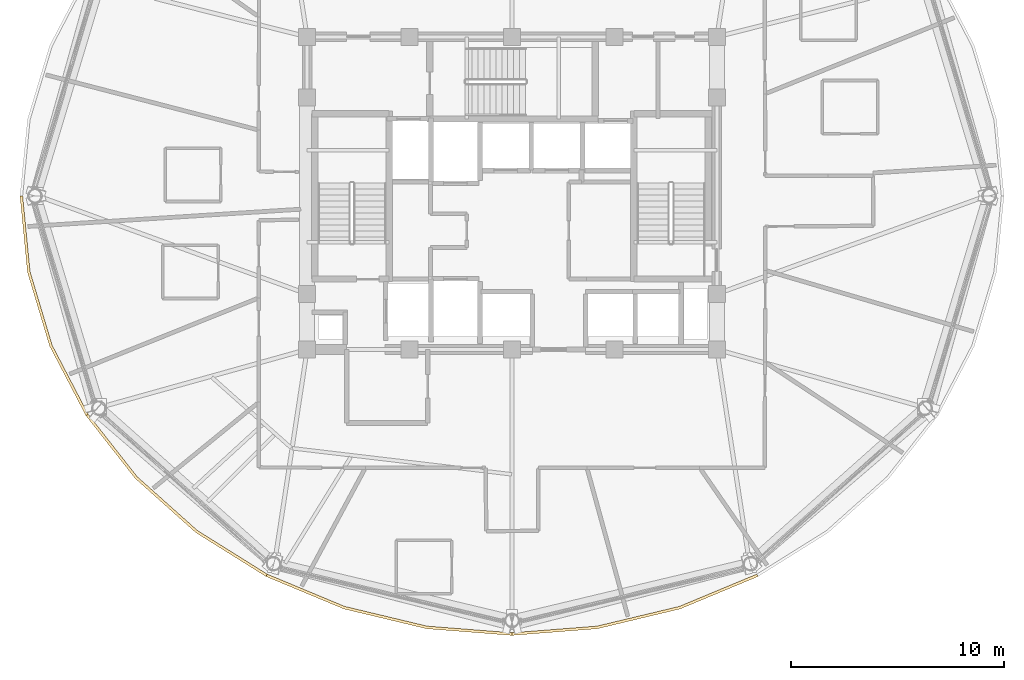
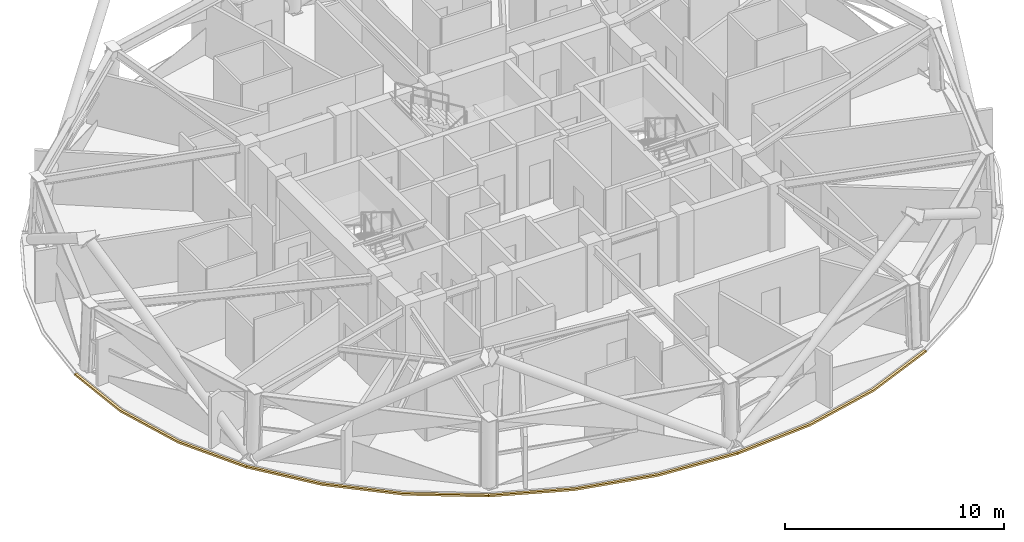
# One storey, part 11 of 14: 4 coverings.
"""IFC4 building model written with IfcOpenShell, lengths in metres."""

from ifc_helpers import new_model, si_unit, direction, frame, origin, place, context, subcontext, project, spatial, polyline, outline, extrude, material, layer, layer_set, type_object, element, save


model = new_model("IFC4")

# Units and contexts
model_context = context("Model", 3, precision=1e-05, world=origin(), true_north=direction((0.0, 1.0)))
body_context = subcontext(model_context, "Body", "Model", "MODEL_VIEW")
ifc_project = project(units=[si_unit("LENGTHUNIT", "METRE"), si_unit("AREAUNIT", "SQUARE_METRE"), si_unit("VOLUMEUNIT", "CUBIC_METRE"), si_unit("PLANEANGLEUNIT", "RADIAN"), si_unit("MASSUNIT", "GRAM", prefix="KILO")], contexts=[model_context])

# Site, building, storey
site_placement = place(None, origin())
site = spatial("IfcSite", under=ifc_project, at=site_placement, CompositionType="ELEMENT")
building_placement = place(site_placement, origin())
building = spatial("IfcBuilding", under=site, at=building_placement, Name="Vantalir Tower", CompositionType="ELEMENT")
storey_placement = place(building_placement, frame((0.0, 0.0, 204.89990234375)))
storey = spatial("IfcBuildingStorey", under=building, at=storey_placement, Name="L51", CompositionType="ELEMENT", Elevation=204.89990234375)

# Coverings
ifc_material = material(Name="Anodised champagne aluminium sill fascia", Category="aluminium")
ifc_layer = layer(ifc_material, 0.125)
ifc_layer_set = layer_set([ifc_layer], Name="Anodised champagne aluminium sill fascia")
covering_type = type_object("IfcCoveringType", Name="COV-SLAB-FASCIA-125", PredefinedType="CLADDING", material=ifc_layer_set)
covering_1_placement = place(storey_placement, frame((0.0, 0.0, -0.179931640625)))
element("IfcCovering", 1, at=covering_1_placement, inside=storey, type_object=covering_type, Name="L51 Perimeter Slab-Edge Sill Fascia 07", PredefinedType="CLADDING", context=body_context, shape_type="SweptSolid", body=[
    extrude(outline(polyline([(8.443115234375, 25.0), (8.79296875, 21.423095703125), (9.833984375, 17.9541015625), (11.531982421875, 14.699951171875), (11.639892578125, 14.761962890625), (9.950927734375, 17.9970703125), (8.916015625, 21.445068359375), (8.568115234375, 25.0), (8.443115234375, 25.0)])), origin(), (0.0, 0.0, 1.0), 0.10498046875),
])
covering_2_placement = place(storey_placement, frame((0.0, 0.0, -0.179931640625)))
element("IfcCovering", 2, at=covering_2_placement, inside=storey, type_object=covering_type, Name="L51 Perimeter Slab-Edge Sill Fascia 08", PredefinedType="CLADDING", context=body_context, shape_type="SweptSolid", body=[
    extrude(outline(polyline([(11.531982421875, 14.699951171875), (13.8369140625, 11.759033203125), (16.678955078125, 9.218994140625), (19.970947265625, 7.159912109375), (20.033935546875, 7.26806640625), (16.760009765625, 9.31494140625), (13.93310546875, 11.839111328125), (11.639892578125, 14.761962890625), (11.531982421875, 14.699951171875)])), origin(), (0.0, 0.0, 1.0), 0.10498046875),
])
covering_3_placement = place(storey_placement, frame((0.0, 0.0, -0.179931640625)))
element("IfcCovering", 3, at=covering_3_placement, inside=storey, type_object=covering_type, Name="L51 Perimeter Slab-Edge Sill Fascia 09", PredefinedType="CLADDING", context=body_context, shape_type="SweptSolid", body=[
    extrude(outline(polyline([(19.970947265625, 7.159912109375), (23.614013671875, 5.64208984375), (27.49609375, 4.712890625), (31.5, 4.39990234375), (31.5, 4.52490234375), (27.51806640625, 4.8359375), (23.656982421875, 5.760009765625), (20.033935546875, 7.26806640625), (19.970947265625, 7.159912109375)])), origin(), (0.0, 0.0, 1.0), 0.10498046875),
])
covering_4_placement = place(storey_placement, frame((0.0, 0.0, -0.179931640625)))
element("IfcCovering", 4, at=covering_4_placement, inside=storey, type_object=covering_type, Name="L51 Perimeter Slab-Edge Sill Fascia 10", PredefinedType="CLADDING", context=body_context, shape_type="SweptSolid", body=[
    extrude(outline(polyline([(31.5, 4.39990234375), (35.50390625, 4.712890625), (39.385986328125, 5.64208984375), (43.029052734375, 7.159912109375), (42.966064453125, 7.26806640625), (39.343017578125, 5.760009765625), (35.48193359375, 4.8359375), (31.5, 4.52490234375), (31.5, 4.39990234375)])), origin(), (0.0, 0.0, 1.0), 0.10498046875),
])

save(model, "model.ifc")
